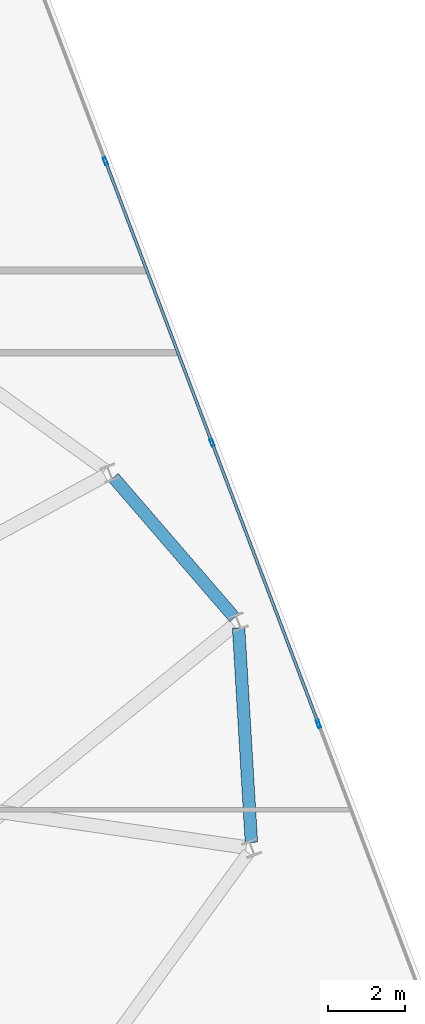
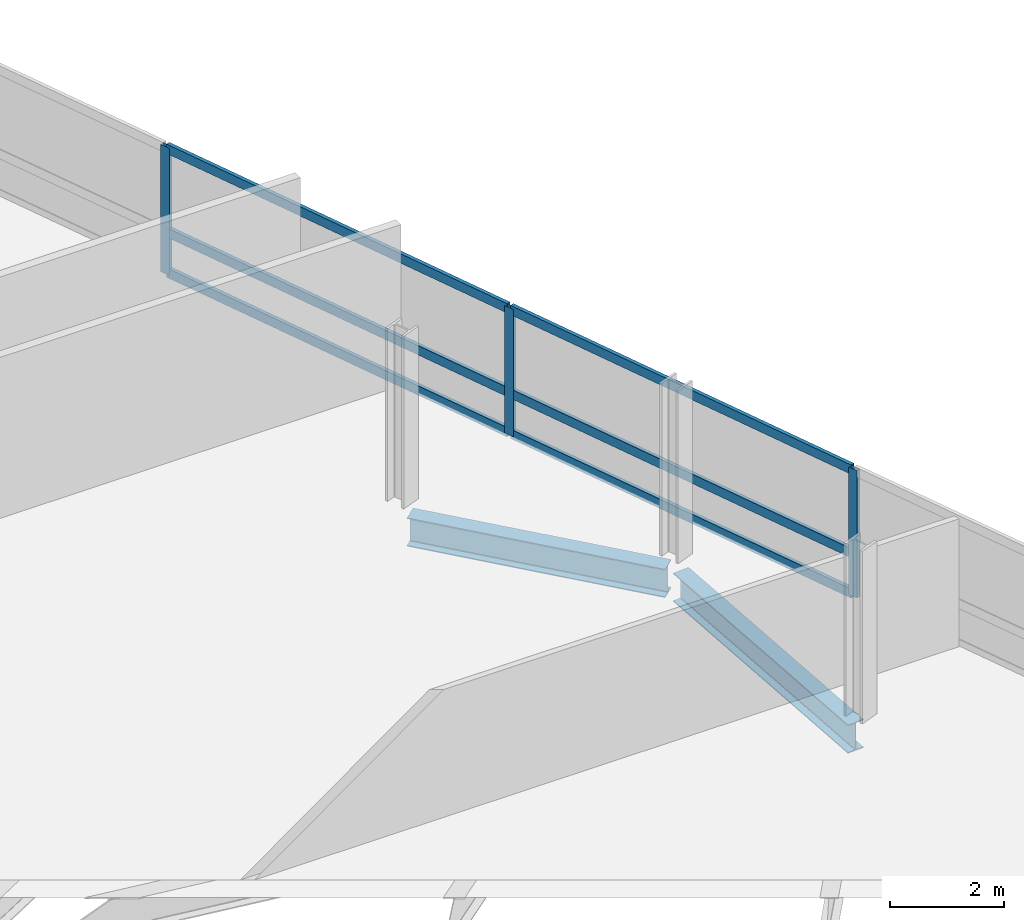
# One storey, part 12 of 19: 9 members, 2 beams, 1 element without a shape of its own.
"""IFC4 building model written with IfcOpenShell, lengths in metres."""

from ifc_helpers import new_model, si_unit, direction, frame, origin, origin_2d, place, context, subcontext, project, spatial, hollow_rectangle, i_section, extrude, material, layer, layer_set, material_profile, profile_set, type_object, element, aggregate, save


model = new_model("IFC4")

# Units and contexts
model_context = context("Model", 3, precision=1e-05, world=origin(), true_north=direction((0.0, 1.0)))
body_context = subcontext(model_context, "Body", "Model", "MODEL_VIEW")
ifc_project = project(units=[si_unit("LENGTHUNIT", "METRE"), si_unit("AREAUNIT", "SQUARE_METRE"), si_unit("VOLUMEUNIT", "CUBIC_METRE"), si_unit("PLANEANGLEUNIT", "RADIAN"), si_unit("MASSUNIT", "GRAM", prefix="KILO")], contexts=[model_context])

# Site, building, storey
site_placement = place(None, origin())
site = spatial("IfcSite", under=ifc_project, at=site_placement, CompositionType="ELEMENT")
building_placement = place(site_placement, origin())
building = spatial("IfcBuilding", under=site, at=building_placement, Name="Varnelok Gate Tower", CompositionType="ELEMENT")
storey_placement = place(building_placement, frame((0.0, 0.0, 231.199951171875)))
storey = spatial("IfcBuildingStorey", under=building, at=storey_placement, Name="L59", CompositionType="ELEMENT", Elevation=231.199951171875)

# Beams
ifc_material_1 = material(Name="Structural Steel ASTM A992 Grade 50", Category="steel")
ifc_material_profile_1 = material_profile(ifc_material_1, i_section(OverallWidth=0.323974609375, OverallDepth=0.611083984375, WebThickness=0.0126953125, FlangeThickness=0.01904296875, FilletRadius=0.01806640625, at=origin_2d()), Name="W24X104")
ifc_profile_set_1 = profile_set([ifc_material_profile_1], Name="Structural Steel ASTM A992 Grade 50")
beam_type = type_object("IfcBeamType", Name="BM-SPN-W24X104", PredefinedType="SPANDREL", material=ifc_profile_set_1)
beam_1_placement = place(storey_placement, frame((71.046142578125, 26.60302734375, -0.555419921875), z_axis=(-0.059494461707, 0.998228635647, 0.0), x_axis=(-0.998228635647, -0.059494461707, 0.0)))
element("IfcBeam", 1, at=beam_1_placement, inside=storey, type_object=beam_type, Name="L59 Perimeter Spandrel Beam 6", PredefinedType="SPANDREL", context=body_context, shape_type="SweptSolid", body=[
    extrude(i_section(OverallWidth=0.323974609375, OverallDepth=0.611083984375, WebThickness=0.0126953125, FlangeThickness=0.01904296875, FilletRadius=0.01806640625, at=origin_2d()), origin(), (0.0, 0.0, 1.0), 5.57666015625),
])
beam_2_placement = place(storey_placement, frame((70.607421875, 32.43310546875, -0.555419921875), z_axis=(-0.653480804386, 0.756943087886, 0.0), x_axis=(-0.756943087886, -0.653480804386, 0.0)))
element("IfcBeam", 2, at=beam_2_placement, inside=storey, type_object=beam_type, Name="L59 Perimeter Spandrel Beam 7", PredefinedType="SPANDREL", context=body_context, shape_type="SweptSolid", body=[
    extrude(i_section(OverallWidth=0.323974609375, OverallDepth=0.611083984375, WebThickness=0.0126953125, FlangeThickness=0.01904296875, FilletRadius=0.01806640625, at=origin_2d()), origin(), (0.0, 0.0, 1.0), 4.799560546875),
])

# Curtain wall, members
ifc_material_2 = material(Name="Anodized Aluminum Alloy 6063-T6", Category="aluminium")
ifc_layer = layer(ifc_material_2, 0.179931640625)
ifc_layer_set = layer_set([ifc_layer], Name="Anodized Aluminum Alloy 6063-T6")
curtain_wall_type = type_object("IfcCurtainWallType", Name="CW4-RESIDENCE-VISION", PredefinedType="USERDEFINED", material=ifc_layer_set)
curtain_wall_placement = place(storey_placement, origin())
curtain_wall = element("IfcCurtainWall", 3, at=curtain_wall_placement, inside=storey, type_object=curtain_wall_type, Name="L59 East End Vision Curtain Wall", ObjectType="UNITISED CURTAIN WALL", PredefinedType="USERDEFINED")
ifc_material_profile_2 = material_profile(ifc_material_2, hollow_rectangle(XDim=0.074951171875, YDim=0.199951171875, WallThickness=0.00390625, at=origin_2d()), Name="ALU200X75X4")
ifc_profile_set_2 = profile_set([ifc_material_profile_2], Name="Anodized Aluminum Alloy 6063-T6")
member_type_1 = type_object("IfcMemberType", Name="CW-MULL-200", PredefinedType="MULLION", material=ifc_profile_set_2)
member_1_placement = place(storey_placement, frame((67.26318359375, 44.2646484375, 0.0), z_axis=(0.0, 0.0, 1.0), x_axis=(0.935221557832, 0.354063042079, 0.0)))
member_1 = element("IfcMember", 4, at=member_1_placement, type_object=member_type_1, Name="CW4 mullion 2", PredefinedType="MULLION", context=body_context, shape_type="SweptSolid", body=[
    extrude(hollow_rectangle(XDim=0.074951171875, YDim=0.199951171875, WallThickness=0.00390625, at=origin_2d()), origin(), (0.0, 0.0, 1.0), 2.72998046875),
])
member_2_placement = place(storey_placement, frame((70.02490234375, 36.969970703125, 0.0), z_axis=(0.0, 0.0, 1.0), x_axis=(0.935221557832, 0.354063042079, 0.0)))
member_2 = element("IfcMember", 5, at=member_2_placement, type_object=member_type_1, Name="CW4 mullion 3", PredefinedType="MULLION", context=body_context, shape_type="SweptSolid", body=[
    extrude(hollow_rectangle(XDim=0.074951171875, YDim=0.199951171875, WallThickness=0.00390625, at=origin_2d()), origin(), (0.0, 0.0, 1.0), 2.72998046875),
])
member_3_placement = place(storey_placement, frame((72.78662109375, 29.675048828125, 0.0), z_axis=(0.0, 0.0, 1.0), x_axis=(0.935221557832, 0.354063042079, 0.0)))
member_3 = element("IfcMember", 6, at=member_3_placement, type_object=member_type_1, Name="CW4 mullion 4", PredefinedType="MULLION", context=body_context, shape_type="SweptSolid", body=[
    extrude(hollow_rectangle(XDim=0.074951171875, YDim=0.199951171875, WallThickness=0.00390625, at=origin_2d()), origin(), (0.0, 0.0, 1.0), 2.72998046875),
])
ifc_material_profile_3 = material_profile(ifc_material_2, hollow_rectangle(XDim=0.074951171875, YDim=0.199951171875, WallThickness=0.00390625, at=origin_2d()), Name="ALU200X75X4")
ifc_profile_set_3 = profile_set([ifc_material_profile_3], Name="Anodized Aluminum Alloy 6063-T6")
member_type_2 = type_object("IfcMemberType", Name="CW-TRAN-200", PredefinedType="USERDEFINED", material=ifc_profile_set_3)
member_4_placement = place(storey_placement, frame((67.2763671875, 44.2294921875, 0.03759765625), z_axis=(0.354086355793, -0.935212731223, 0.0), x_axis=(0.935212731223, 0.354086355793, 0.0)))
member_4 = element("IfcMember", 7, at=member_4_placement, type_object=member_type_2, Name="CW4 transom 2.1", ObjectType="TRANSOM", PredefinedType="USERDEFINED", context=body_context, shape_type="SweptSolid", body=[
    extrude(hollow_rectangle(XDim=0.074951171875, YDim=0.199951171875, WallThickness=0.00390625, at=origin_2d()), origin(), (0.0, 0.0, 1.0), 7.72509765625),
])
member_5_placement = place(storey_placement, frame((67.2763671875, 44.2294921875, 0.900146484375), z_axis=(0.354086355793, -0.935212731223, 0.0), x_axis=(0.935212731223, 0.354086355793, 0.0)))
member_5 = element("IfcMember", 8, at=member_5_placement, type_object=member_type_2, Name="CW4 transom 2.2", ObjectType="TRANSOM", PredefinedType="USERDEFINED", context=body_context, shape_type="SweptSolid", body=[
    extrude(hollow_rectangle(XDim=0.074951171875, YDim=0.199951171875, WallThickness=0.00390625, at=origin_2d()), origin(), (0.0, 0.0, 1.0), 7.72509765625),
])
member_6_placement = place(storey_placement, frame((67.2763671875, 44.2294921875, 2.692626953125), z_axis=(0.354086355793, -0.935212731223, 0.0), x_axis=(0.935212731223, 0.354086355793, 0.0)))
member_6 = element("IfcMember", 9, at=member_6_placement, type_object=member_type_2, Name="CW4 transom 2.3", ObjectType="TRANSOM", PredefinedType="USERDEFINED", context=body_context, shape_type="SweptSolid", body=[
    extrude(hollow_rectangle(XDim=0.074951171875, YDim=0.199951171875, WallThickness=0.00390625, at=origin_2d()), origin(), (0.0, 0.0, 1.0), 7.72509765625),
])
member_7_placement = place(storey_placement, frame((70.0380859375, 36.934814453125, 0.03759765625), z_axis=(0.354086355793, -0.935212731223, 0.0), x_axis=(0.935212731223, 0.354086355793, 0.0)))
member_7 = element("IfcMember", 10, at=member_7_placement, type_object=member_type_2, Name="CW4 transom 3.1", ObjectType="TRANSOM", PredefinedType="USERDEFINED", context=body_context, shape_type="SweptSolid", body=[
    extrude(hollow_rectangle(XDim=0.074951171875, YDim=0.199951171875, WallThickness=0.00390625, at=origin_2d()), origin(), (0.0, 0.0, 1.0), 7.72509765625),
])
member_8_placement = place(storey_placement, frame((70.0380859375, 36.934814453125, 0.900146484375), z_axis=(0.354086355793, -0.935212731223, 0.0), x_axis=(0.935212731223, 0.354086355793, 0.0)))
member_8 = element("IfcMember", 11, at=member_8_placement, type_object=member_type_2, Name="CW4 transom 3.2", ObjectType="TRANSOM", PredefinedType="USERDEFINED", context=body_context, shape_type="SweptSolid", body=[
    extrude(hollow_rectangle(XDim=0.074951171875, YDim=0.199951171875, WallThickness=0.00390625, at=origin_2d()), origin(), (0.0, 0.0, 1.0), 7.72509765625),
])
member_9_placement = place(storey_placement, frame((70.0380859375, 36.934814453125, 2.692626953125), z_axis=(0.354086355793, -0.935212731223, 0.0), x_axis=(0.935212731223, 0.354086355793, 0.0)))
member_9 = element("IfcMember", 12, at=member_9_placement, type_object=member_type_2, Name="CW4 transom 3.3", ObjectType="TRANSOM", PredefinedType="USERDEFINED", context=body_context, shape_type="SweptSolid", body=[
    extrude(hollow_rectangle(XDim=0.074951171875, YDim=0.199951171875, WallThickness=0.00390625, at=origin_2d()), origin(), (0.0, 0.0, 1.0), 7.72509765625),
])
aggregate(curtain_wall, [member_1, member_2, member_3, member_4, member_5, member_6, member_7, member_8, member_9])

save(model, "model.ifc")
